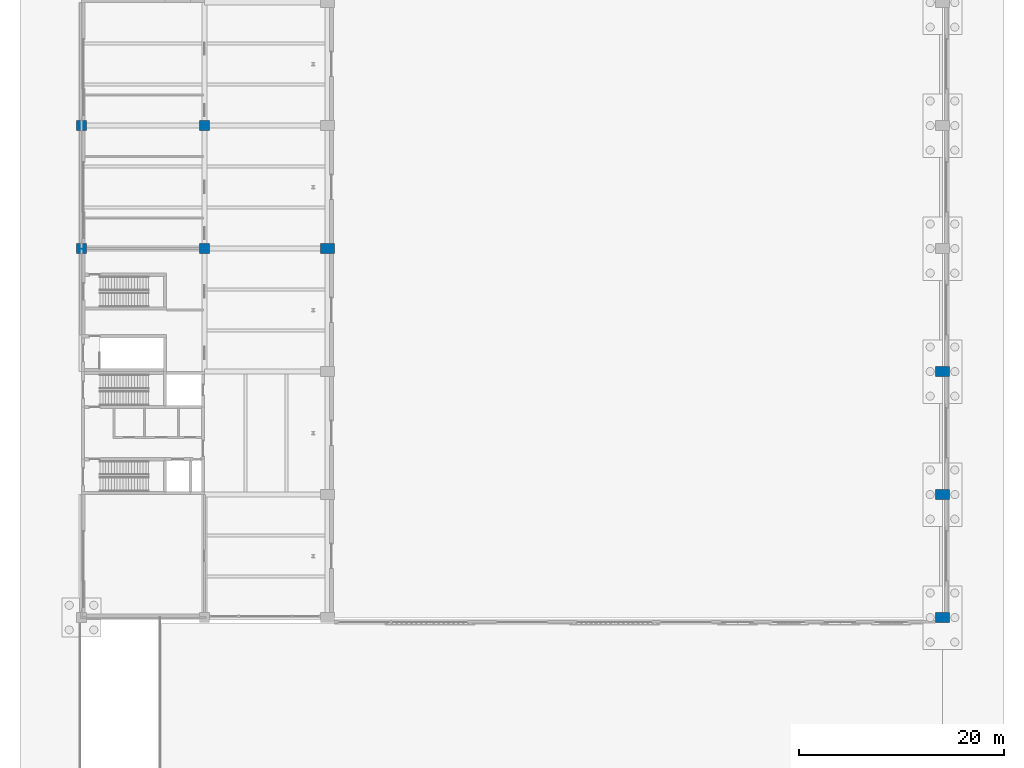
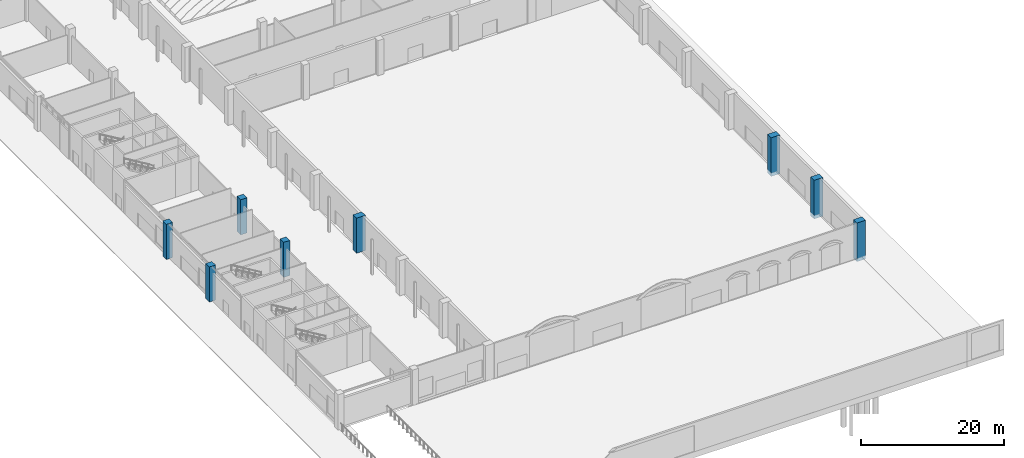
# One storey, part 4 of 59: 8 columns.
"""IFC4 building model written with IfcOpenShell, lengths in metres."""

from ifc_helpers import new_model, si_unit, direction, frame, origin, origin_2d, place, context, subcontext, project, spatial, rectangle, extrude, material, material_profile, profile_set, type_object, element, save


model = new_model("IFC4")

# Units and contexts
model_context = context("Model", 3, precision=1e-05, world=origin(), true_north=direction((0.0, 1.0)))
body_context = subcontext(model_context, "Body", "Model", "MODEL_VIEW")
ifc_project = project(units=[si_unit("LENGTHUNIT", "METRE"), si_unit("AREAUNIT", "SQUARE_METRE"), si_unit("VOLUMEUNIT", "CUBIC_METRE"), si_unit("PLANEANGLEUNIT", "RADIAN"), si_unit("MASSUNIT", "GRAM", prefix="KILO")], contexts=[model_context])

# Site, building, storey
site_placement = place(None, origin())
site = spatial("IfcSite", under=ifc_project, at=site_placement, CompositionType="ELEMENT")
building_placement = place(site_placement, origin())
building = spatial("IfcBuilding", under=site, at=building_placement, Name="Lilac Gate Convention Centre", CompositionType="ELEMENT")
storey_placement = place(building_placement, origin())
storey = spatial("IfcBuildingStorey", under=building, at=storey_placement, Name="L00", CompositionType="ELEMENT", Elevation=0.0)

# Columns
ifc_material = material(Name="Concrete C40", Category="concrete")
ifc_material_profile_1 = material_profile(ifc_material, rectangle(XDim=1.0, YDim=1.0, at=origin_2d()), Name="RC 1000x1000")
ifc_profile_set_1 = profile_set([ifc_material_profile_1], Name="Concrete C40")
column_type_1 = type_object("IfcColumnType", Name="RC column 1000x1000 C40", PredefinedType="COLUMN", material=ifc_profile_set_1)
for number, where, z_axis, x_axis, name in (
    (1, (6.0, 66.0, 0.0), (0.0, 0.0, 1.0), (1.0, 0.0, 0.0), "C1 L00 at 1/D"),
    (2, (6.0, 78.0, 0.0), (0.0, 0.0, 1.0), (1.0, 0.0, 0.0), "C1 L00 at 1/E"),
    (3, (18.0, 66.0, 0.0), (0.0, 0.0, 1.0), (1.0, 0.0, 0.0), "C1 L00 at 2/D"),
    (4, (18.0, 78.0, 0.0), (0.0, 0.0, 1.0), (1.0, 0.0, 0.0), "C1 L00 at 2/E"),
):
    element("IfcColumn", number, at=place(storey_placement, frame(where, z_axis=z_axis, x_axis=x_axis)), inside=storey, type_object=column_type_1, Name=name, PredefinedType="COLUMN", context=body_context, shape_type="SweptSolid", body=[
        extrude(rectangle(XDim=1.0, YDim=1.0, at=origin_2d()), origin(), (0.0, 0.0, 1.0), 6.0),
    ])
ifc_material_profile_2 = material_profile(ifc_material, rectangle(XDim=1.39990234375, YDim=1.0, at=origin_2d()), Name="RC 1400x1000")
ifc_profile_set_2 = profile_set([ifc_material_profile_2], Name="Concrete C40")
column_type_2 = type_object("IfcColumnType", Name="RC hall column 1400x1000 C40", PredefinedType="COLUMN", material=ifc_profile_set_2)
for number, where, z_axis, x_axis, name in (
    (5, (90.0, 30.0, -0.60009765625), (0.0, 0.0, 1.0), (1.0, 0.0, 0.0), "C2 L00 at 8/A"),
    (6, (90.0, 42.0, -0.60009765625), (0.0, 0.0, 1.0), (1.0, 0.0, 0.0), "C2 L00 at 8/B"),
    (7, (90.0, 54.0, -0.60009765625), (0.0, 0.0, 1.0), (1.0, 0.0, 0.0), "C2 L00 at 8/C"),
):
    element("IfcColumn", number, at=place(storey_placement, frame(where, z_axis=z_axis, x_axis=x_axis)), inside=storey, type_object=column_type_2, Name=name, PredefinedType="COLUMN", context=body_context, shape_type="SweptSolid", body=[
        extrude(rectangle(XDim=1.39990234375, YDim=1.0, at=origin_2d()), origin(), (0.0, 0.0, 1.0), 6.60009765625),
    ])
column_placement = place(storey_placement, frame((30.0, 66.0, 0.0), z_axis=(0.0, 0.0, 1.0), x_axis=(1.0, 0.0, 0.0)))
element("IfcColumn", 8, at=column_placement, inside=storey, type_object=column_type_2, Name="C2 L00 at 3/D", PredefinedType="COLUMN", context=body_context, shape_type="SweptSolid", body=[
    extrude(rectangle(XDim=1.39990234375, YDim=1.0, at=origin_2d()), origin(), (0.0, 0.0, 1.0), 6.0),
])

save(model, "model.ifc")
